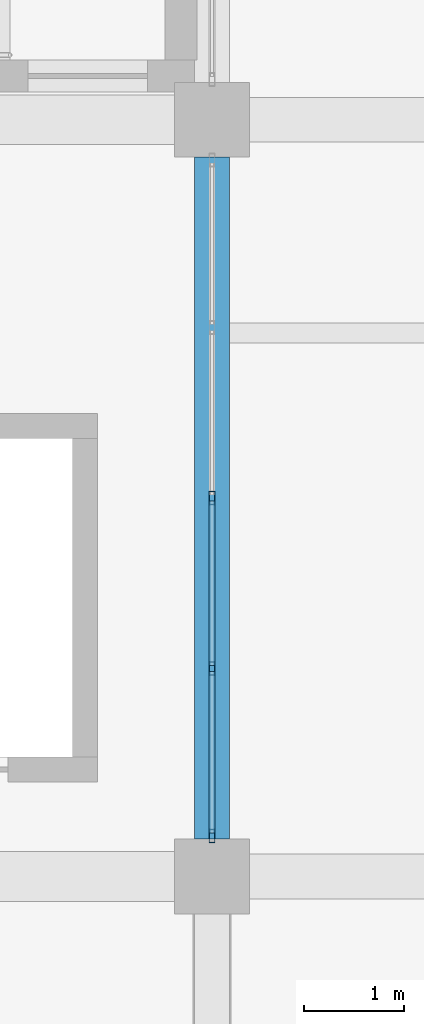
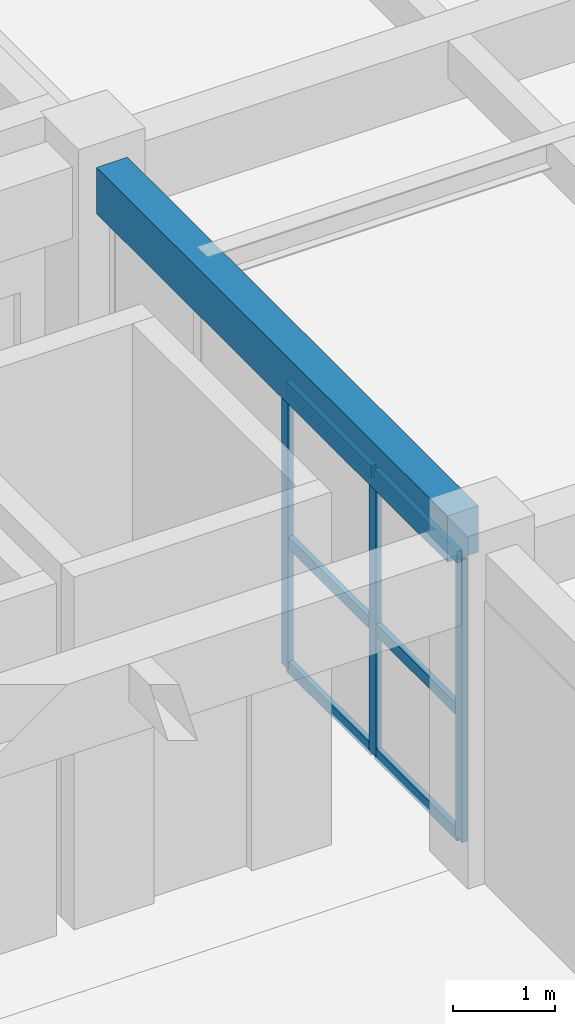
# One storey, part 23 of 63: 9 members, 1 beam, 1 element without a shape of its own.
"""IFC4 building model written with IfcOpenShell, lengths in metres."""

from ifc_helpers import new_model, si_unit, direction, frame, origin, origin_2d, place, context, subcontext, project, spatial, rectangle, hollow_rectangle, extrude, material, material_profile, profile_set, type_object, element, aggregate, save


model = new_model("IFC4")

# Units and contexts
model_context = context("Model", 3, precision=1e-05, world=origin(), true_north=direction((0.0, 1.0)))
body_context = subcontext(model_context, "Body", "Model", "MODEL_VIEW")
ifc_project = project(units=[si_unit("LENGTHUNIT", "METRE"), si_unit("AREAUNIT", "SQUARE_METRE"), si_unit("VOLUMEUNIT", "CUBIC_METRE"), si_unit("PLANEANGLEUNIT", "RADIAN"), si_unit("MASSUNIT", "GRAM", prefix="KILO")], contexts=[model_context])

# Site, building, storey
site_placement = place(None, origin())
site = spatial("IfcSite", under=ifc_project, at=site_placement, CompositionType="ELEMENT")
building_placement = place(site_placement, origin())
building = spatial("IfcBuilding", under=site, at=building_placement, Name="Zantavel Square City Hall", CompositionType="ELEMENT")
storey_placement = place(building_placement, frame((0.0, 0.0, 14.699951171875)))
storey = spatial("IfcBuildingStorey", under=building, at=storey_placement, Name="L04", CompositionType="ELEMENT", Elevation=14.699951171875)

# Curtain wall, members
ifc_material_1 = material(Name="Anodised aluminium 6063-T6", Category="aluminium")
curtain_wall_type = type_object("IfcCurtainWallType", Name="Curtain Wall TRV1 6850x3370", PredefinedType="USERDEFINED", material=ifc_material_1)
curtain_wall_placement = place(storey_placement, origin())
curtain_wall = element("IfcCurtainWall", 1, at=curtain_wall_placement, inside=storey, type_object=curtain_wall_type, Name="L04 Glazed Curtain Wall CW-L04-112", ObjectType="GLAZED CURTAIN WALL", PredefinedType="USERDEFINED")
ifc_material_profile_1 = material_profile(ifc_material_1, hollow_rectangle(XDim=0.06005859375, YDim=0.135009765625, WallThickness=0.00390625, at=origin_2d()), Name="ALU 60x135x4")
ifc_profile_set_1 = profile_set([ifc_material_profile_1], Name="Anodised aluminium 6063-T6")
member_type_1 = type_object("IfcMemberType", Name="CW Mullion ALU 60x135x4", PredefinedType="MULLION", material=ifc_profile_set_1)
member_1_placement = place(storey_placement, frame((104.0, 57.0, 0.0), z_axis=(0.0, 0.0, 1.0), x_axis=(1.0, 0.0, 0.0)))
member_1 = element("IfcMember", 2, at=member_1_placement, type_object=member_type_1, Name="CW-112 mullion 3", PredefinedType="MULLION", context=body_context, shape_type="SweptSolid", body=[
    extrude(hollow_rectangle(XDim=0.06005859375, YDim=0.135009765625, WallThickness=0.00390625, at=origin_2d()), origin(), (0.0, 0.0, 1.0), 3.3701171875),
])
member_2_placement = place(storey_placement, frame((104.0, 55.28759765625, 0.0), z_axis=(0.0, 0.0, 1.0), x_axis=(1.0, 0.0, 0.0)))
member_2 = element("IfcMember", 3, at=member_2_placement, type_object=member_type_1, Name="CW-112 mullion 4", PredefinedType="MULLION", context=body_context, shape_type="SweptSolid", body=[
    extrude(hollow_rectangle(XDim=0.06005859375, YDim=0.135009765625, WallThickness=0.00390625, at=origin_2d()), origin(), (0.0, 0.0, 1.0), 3.3701171875),
])
member_3_placement = place(storey_placement, frame((104.0, 53.60498046875, 0.0), z_axis=(0.0, 0.0, 1.0), x_axis=(1.0, 0.0, 0.0)))
member_3 = element("IfcMember", 4, at=member_3_placement, type_object=member_type_1, Name="CW-112 mullion 5", PredefinedType="MULLION", context=body_context, shape_type="SweptSolid", body=[
    extrude(hollow_rectangle(XDim=0.06005859375, YDim=0.135009765625, WallThickness=0.00390625, at=origin_2d()), origin(), (0.0, 0.0, 1.0), 3.3701171875),
])
ifc_material_profile_2 = material_profile(ifc_material_1, hollow_rectangle(XDim=0.06005859375, YDim=0.139892578125, WallThickness=0.00390625, at=origin_2d()), Name="ALU 60x140x4")
ifc_profile_set_2 = profile_set([ifc_material_profile_2], Name="Anodised aluminium 6063-T6")
member_type_2 = type_object("IfcMemberType", Name="CW Transom ALU 60x140x4", PredefinedType="USERDEFINED", material=ifc_profile_set_2)
member_4_placement = place(storey_placement, frame((104.0, 56.969970703125, 0.030029296875), z_axis=(0.0, -1.0, 0.0), x_axis=(1.0, 0.0, 0.0)))
member_4 = element("IfcMember", 5, at=member_4_placement, type_object=member_type_2, Name="CW-112 transom 3.1", ObjectType="TRANSOM", PredefinedType="USERDEFINED", context=body_context, shape_type="SweptSolid", body=[
    extrude(hollow_rectangle(XDim=0.06005859375, YDim=0.139892578125, WallThickness=0.00390625, at=origin_2d()), origin(), (0.0, 0.0, 1.0), 1.652587890625),
])
member_5_placement = place(storey_placement, frame((104.0, 56.969970703125, 1.51708984375), z_axis=(0.0, -1.0, 0.0), x_axis=(1.0, 0.0, 0.0)))
member_5 = element("IfcMember", 6, at=member_5_placement, type_object=member_type_2, Name="CW-112 transom 3.2", ObjectType="TRANSOM", PredefinedType="USERDEFINED", context=body_context, shape_type="SweptSolid", body=[
    extrude(hollow_rectangle(XDim=0.06005859375, YDim=0.139892578125, WallThickness=0.00390625, at=origin_2d()), origin(), (0.0, 0.0, 1.0), 1.652587890625),
])
member_6_placement = place(storey_placement, frame((104.0, 56.969970703125, 3.340087890625), z_axis=(0.0, -1.0, 0.0), x_axis=(1.0, 0.0, 0.0)))
member_6 = element("IfcMember", 7, at=member_6_placement, type_object=member_type_2, Name="CW-112 transom 3.3", ObjectType="TRANSOM", PredefinedType="USERDEFINED", context=body_context, shape_type="SweptSolid", body=[
    extrude(hollow_rectangle(XDim=0.06005859375, YDim=0.139892578125, WallThickness=0.00390625, at=origin_2d()), origin(), (0.0, 0.0, 1.0), 1.652587890625),
])
member_7_placement = place(storey_placement, frame((104.0, 55.257568359375, 0.030029296875), z_axis=(0.0, -1.0, 0.0), x_axis=(1.0, 0.0, 0.0)))
member_7 = element("IfcMember", 8, at=member_7_placement, type_object=member_type_2, Name="CW-112 transom 4.1", ObjectType="TRANSOM", PredefinedType="USERDEFINED", context=body_context, shape_type="SweptSolid", body=[
    extrude(hollow_rectangle(XDim=0.06005859375, YDim=0.139892578125, WallThickness=0.00390625, at=origin_2d()), origin(), (0.0, 0.0, 1.0), 1.62255859375),
])
member_8_placement = place(storey_placement, frame((104.0, 55.257568359375, 1.51708984375), z_axis=(0.0, -1.0, 0.0), x_axis=(1.0, 0.0, 0.0)))
member_8 = element("IfcMember", 9, at=member_8_placement, type_object=member_type_2, Name="CW-112 transom 4.2", ObjectType="TRANSOM", PredefinedType="USERDEFINED", context=body_context, shape_type="SweptSolid", body=[
    extrude(hollow_rectangle(XDim=0.06005859375, YDim=0.139892578125, WallThickness=0.00390625, at=origin_2d()), origin(), (0.0, 0.0, 1.0), 1.62255859375),
])
member_9_placement = place(storey_placement, frame((104.0, 55.257568359375, 3.340087890625), z_axis=(0.0, -1.0, 0.0), x_axis=(1.0, 0.0, 0.0)))
member_9 = element("IfcMember", 10, at=member_9_placement, type_object=member_type_2, Name="CW-112 transom 4.3", ObjectType="TRANSOM", PredefinedType="USERDEFINED", context=body_context, shape_type="SweptSolid", body=[
    extrude(hollow_rectangle(XDim=0.06005859375, YDim=0.139892578125, WallThickness=0.00390625, at=origin_2d()), origin(), (0.0, 0.0, 1.0), 1.62255859375),
])
aggregate(curtain_wall, [member_1, member_2, member_3, member_4, member_5, member_6, member_7, member_8, member_9])

# Beam
ifc_material_2 = material(Name="Concrete C35/45", Category="concrete")
ifc_material_profile_3 = material_profile(ifc_material_2, rectangle(XDim=0.35009765625, YDim=0.550048828125, at=origin_2d()), Name="RC 350x550")
ifc_profile_set_3 = profile_set([ifc_material_profile_3], Name="Concrete C35/45")
beam_type = type_object("IfcBeamType", Name="Secondary Beam RC 350x550 C35/45", PredefinedType="BEAM", material=ifc_profile_set_3)
beam_placement = place(storey_placement, frame((104.0, 53.574951171875, 3.64501953125), z_axis=(0.0, 1.0, 0.0), x_axis=(-1.0, 0.0, 0.0)))
element("IfcBeam", 11, at=beam_placement, inside=storey, type_object=beam_type, Name="L04 Beam BMY-L04-1040-0532", PredefinedType="BEAM", context=body_context, shape_type="SweptSolid", body=[
    extrude(rectangle(XDim=0.35009765625, YDim=0.550048828125, at=origin_2d()), origin(), (0.0, 0.0, 1.0), 6.85009765625),
])

save(model, "model.ifc")
